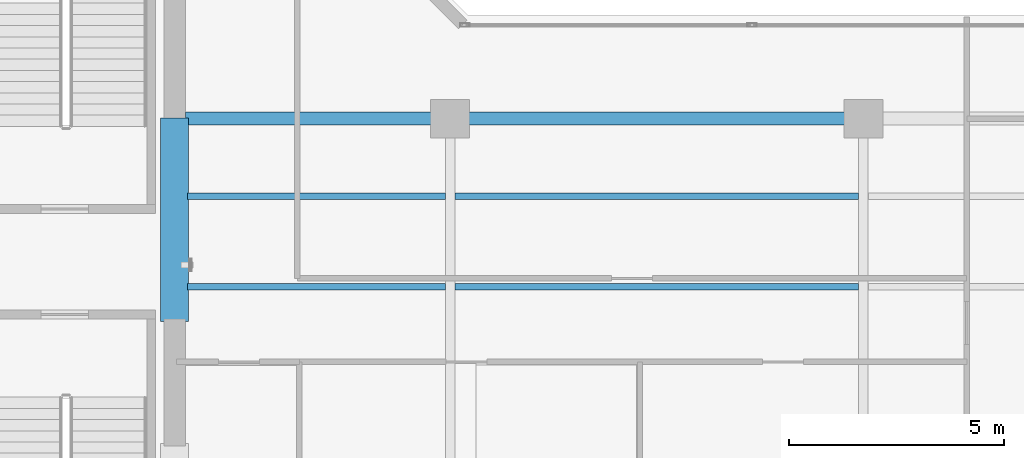
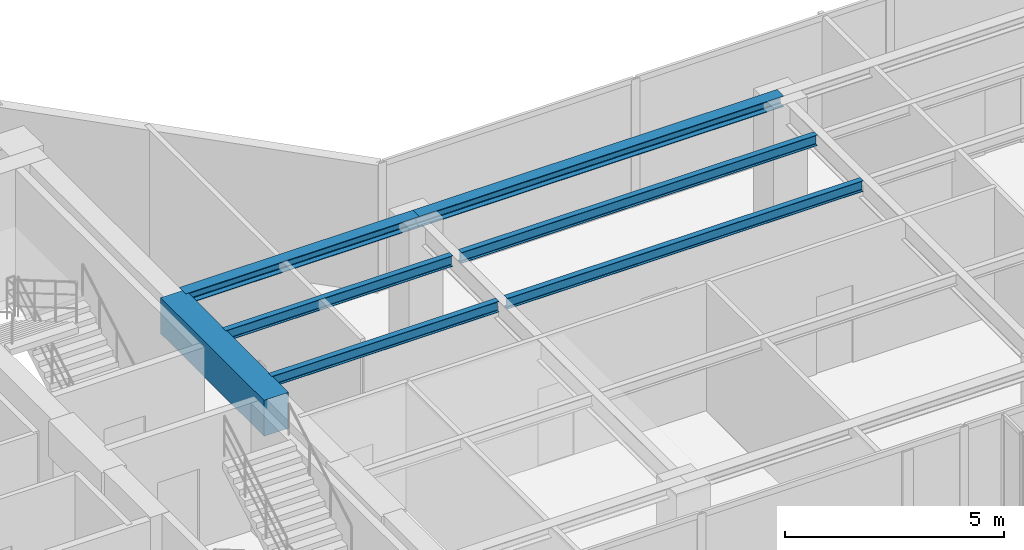
# One storey, part 6 of 24: 7 beams.
"""IFC4 building model written with IfcOpenShell, lengths in metres."""

import ifcopenshell
import ifcopenshell.guid

model = None  # the IFC model being written
_history = None  # IfcOwnerHistory: only IFC2X3 demands one
_inside = {}  # id of a spatial element -> (the spatial element, [elements in it])
_under = {}  # id of a project, library or spatial element -> (it, [spatial elements below it])
_declared = {}  # id of a project -> (the project, [libraries it declares])
_typed = {}  # id of a type object -> (the type object, [elements of that type])
_made_of = {}  # id of a material, layer set ... -> (it, [elements and type objects made of it])


def new_model(schema):
    """Start an empty IFC model of exactly this schema.

    Asked for "IFC4X3", IfcOpenShell would pick the latest addendum, in which some entities
    have other attributes; the version numbers below select the first issue.
    IFC2X3 requires an IfcOwnerHistory on every rooted entity: one is made here for all.
    """
    global model, _history
    if schema == "IFC4X3":
        model = ifcopenshell.file(schema_version=(4, 3, 0, 0))
    else:
        model = ifcopenshell.file(schema=schema)
    _inside.clear()
    _under.clear()
    _declared.clear()
    _typed.clear()
    _made_of.clear()
    _history = None
    if model.schema == "IFC2X3":
        org = make("IfcOrganization", Name="unknown")
        user = make(
            "IfcPersonAndOrganization",
            ThePerson=make("IfcPerson", FamilyName="unknown"),
            TheOrganization=org,
        )
        app = make(
            "IfcApplication",
            ApplicationDeveloper=org,
            Version="unknown",
            ApplicationFullName="unknown",
            ApplicationIdentifier="unknown",
        )
        _history = make(
            "IfcOwnerHistory",
            OwningUser=user,
            OwningApplication=app,
            ChangeAction="ADDED",
            CreationDate=0,
        )
    return model


def make(cls, **values):
    """One entity of the class cls with the attributes given. An attribute that is None is left unset."""
    return model.create_entity(
        cls, **{name: value for name, value in values.items() if value is not None}
    )


def rooted(cls, **values):
    """An entity with a GlobalId (a new one), such as an element, a storey or a relation."""
    return make(cls, GlobalId=ifcopenshell.guid.new(), OwnerHistory=_history, **values)


def si_unit(unit_type, name, prefix=None):
    """IfcSIUnit, for example si_unit("LENGTHUNIT", "METRE", prefix="MILLI")."""
    return make("IfcSIUnit", UnitType=unit_type, Prefix=prefix, Name=name)


def assignment(units):
    """IfcUnitAssignment: the units of a project."""
    return None if units is None else make("IfcUnitAssignment", Units=units)


def point(xyz):
    """IfcCartesianPoint."""
    return None if xyz is None else make("IfcCartesianPoint", Coordinates=xyz)


def direction(xyz):
    """IfcDirection."""
    return None if xyz is None else make("IfcDirection", DirectionRatios=xyz)


def frame(location, z_axis=None, x_axis=None):
    """IfcAxis2Placement3D, a coordinate frame: its origin and axes. An axis left out is left unset."""
    return make(
        "IfcAxis2Placement3D",
        Location=point(location),
        Axis=direction(z_axis),
        RefDirection=direction(x_axis),
    )


def frame_2d(location, x_axis=None):
    """IfcAxis2Placement2D, a coordinate frame in the plane: its origin and x axis."""
    return make(
        "IfcAxis2Placement2D", Location=point(location), RefDirection=direction(x_axis)
    )


def origin():
    """The frame at (0, 0, 0) with its axes left unset."""
    return frame((0.0, 0.0, 0.0))


def origin_2d():
    """The frame at (0, 0) in the plane with its x axis left unset."""
    return frame_2d((0.0, 0.0))


def place(relative_to, where):
    """IfcLocalPlacement: puts the frame where relative to a parent placement (None: the world)."""
    return make(
        "IfcLocalPlacement", PlacementRelTo=relative_to, RelativePlacement=where
    )


def context(
    kind, dimensions, precision=None, world=None, true_north=None, identifier=None
):
    """IfcGeometricRepresentationContext, for example the 3D "Model" context."""
    return make(
        "IfcGeometricRepresentationContext",
        ContextIdentifier=identifier,
        ContextType=kind,
        CoordinateSpaceDimension=dimensions,
        Precision=precision,
        WorldCoordinateSystem=world,
        TrueNorth=true_north,
    )


def subcontext(parent, identifier, kind, view, scale=None):
    """IfcGeometricRepresentationSubContext, for example "Body" below "Model"."""
    return make(
        "IfcGeometricRepresentationSubContext",
        ContextIdentifier=identifier,
        ContextType=kind,
        ParentContext=parent,
        TargetScale=scale,
        TargetView=view,
    )


def project(units=None, contexts=None):
    """IfcProject with its units and contexts."""
    return rooted(
        "IfcProject",
        Name="project",
        RepresentationContexts=contexts,
        UnitsInContext=assignment(units),
    )


def spatial(cls, under=None, at=None, **own):
    """A site, building, storey or space (cls), placed at a placement, below another one or the project."""
    s = rooted(cls, ObjectPlacement=at, **own)
    if under is not None:
        _under.setdefault(under.id(), (under, []))[1].append(s)
    return s


def profile(cls, at=None, kind="AREA", **sizes):
    """A parametric profile (cls). Its sizes go by their IFC names, for example OverallWidth=200.0."""
    return make(cls, ProfileType=kind, Position=at, **sizes)


def rectangle(**sizes):
    """IfcRectangleProfileDef."""
    return profile("IfcRectangleProfileDef", **sizes)


def i_section(**sizes):
    """IfcIShapeProfileDef."""
    return profile("IfcIShapeProfileDef", **sizes)


def extrude(swept, where, along, depth):
    """IfcExtrudedAreaSolid: the profile swept, set in the frame where, extruded along a direction by depth."""
    return make(
        "IfcExtrudedAreaSolid",
        SweptArea=swept,
        Position=where,
        ExtrudedDirection=direction(along),
        Depth=depth,
    )


def shape(context_of_items, identifier, shape_type, items):
    """IfcShapeRepresentation: the items that make up one representation, for example the "Body"."""
    return make(
        "IfcShapeRepresentation",
        ContextOfItems=context_of_items,
        RepresentationIdentifier=identifier,
        RepresentationType=shape_type,
        Items=items,
    )


def material(Name=None, Category=None):
    """IfcMaterial."""
    return make("IfcMaterial", Name=Name, Category=Category)


def material_profile(
    of_material, cross_section, Name=None, Category=None, Priority=None
):
    """IfcMaterialProfile: a cross section and its material."""
    return make(
        "IfcMaterialProfile",
        Name=Name,
        Material=of_material,
        Profile=cross_section,
        Priority=Priority,
        Category=Category,
    )


def profile_set(profiles, Name=None, composite=None):
    """IfcMaterialProfileSet."""
    return make(
        "IfcMaterialProfileSet",
        Name=Name,
        MaterialProfiles=profiles,
        CompositeProfile=composite,
    )


def made_of(thing, what):
    """Note that an element or type object is made of a material, layer set ...; save() writes the relation."""
    if what is not None:
        _made_of.setdefault(what.id(), (what, []))[1].append(thing)
    return thing


def type_object(cls, material=None, **own):
    """A type object (cls), such as IfcWallType, which elements share."""
    return made_of(rooted(cls, **own), material)


def element(
    cls,
    number,
    at=None,
    inside=None,
    cuts=None,
    type_object=None,
    material=None,
    context=None,
    identifier="Body",
    shape_type=None,
    held_by="IfcProductDefinitionShape",
    body=None,
    shapes=None,
    **own,
):
    """One element of the class cls, such as IfcWall. Its Tag is "e" and its number.

    at: its placement. inside: the storey or other place that contains it. cuts: it is an
    opening in that element (IfcRelVoidsElement). A single representation is given by context,
    identifier, shape_type and body (its items); several are given by shapes. held_by: the class
    of the entity that holds the representations. save() writes the other relations.
    """
    e = rooted(cls, Tag="e%d" % number, ObjectPlacement=at, **own)
    if body is not None:
        shapes = [shape(context, identifier, shape_type, body)]
    if shapes is not None:
        e.Representation = make(held_by, Representations=shapes)
    if inside is not None:
        _inside.setdefault(inside.id(), (inside, []))[1].append(e)
    if cuts is not None:
        rooted(
            "IfcRelVoidsElement", RelatingBuildingElement=cuts, RelatedOpeningElement=e
        )
    if type_object is not None:
        _typed.setdefault(type_object.id(), (type_object, []))[1].append(e)
    return made_of(e, material)


def aggregate(whole, parts):
    """IfcRelAggregates: a whole, such as a stair, and the parts it consists of."""
    return rooted("IfcRelAggregates", RelatingObject=whole, RelatedObjects=parts)


def save(model, path):
    """Write the relations noted so far, then the file.

    IfcRelAggregates (storeys below a building ...), IfcRelContainedInSpatialStructure (elements
    in a storey), IfcRelDefinesByType, IfcRelAssociatesMaterial and IfcRelDeclares: one each for
    every whole, place, type object, material and project.
    """
    for whole, parts in _under.values():
        aggregate(whole, parts)
    for where, things in _inside.values():
        rooted(
            "IfcRelContainedInSpatialStructure",
            RelatedElements=things,
            RelatingStructure=where,
        )
    for kind, things in _typed.values():
        rooted("IfcRelDefinesByType", RelatedObjects=things, RelatingType=kind)
    for what, things in _made_of.values():
        rooted("IfcRelAssociatesMaterial", RelatedObjects=things, RelatingMaterial=what)
    for by, libraries in _declared.values():
        rooted("IfcRelDeclares", RelatingContext=by, RelatedDefinitions=libraries)
    model.write(path)


model = new_model("IFC4")

# Units and contexts
model_context = context("Model", 3, precision=1e-05, world=origin(), true_north=direction((0.0, 1.0)))
body_context = subcontext(model_context, "Body", "Model", "MODEL_VIEW")
ifc_project = project(units=[si_unit("LENGTHUNIT", "METRE"), si_unit("AREAUNIT", "SQUARE_METRE"), si_unit("VOLUMEUNIT", "CUBIC_METRE"), si_unit("PLANEANGLEUNIT", "RADIAN"), si_unit("MASSUNIT", "GRAM", prefix="KILO")], contexts=[model_context])

# Site, building, storey
site_placement = place(None, origin())
site = spatial("IfcSite", under=ifc_project, at=site_placement, CompositionType="ELEMENT")
building_placement = place(site_placement, origin())
building = spatial("IfcBuilding", under=site, at=building_placement, Name="Kolvaren Waterfront Exchange", CompositionType="ELEMENT")
storey_placement = place(building_placement, frame((0.0, 0.0, 331.199951171875)))
storey = spatial("IfcBuildingStorey", under=building, at=storey_placement, Name="L85", CompositionType="ELEMENT", Elevation=331.199951171875)

# Beams
ifc_material_1 = material(Name="Steel S355", Category="steel")
ifc_material_profile_1 = material_profile(ifc_material_1, i_section(OverallWidth=0.300048828125, OverallDepth=0.300048828125, WebThickness=0.010986328125, FlangeThickness=0.01904296875, FilletRadius=0.027099609375, at=origin_2d()), Name="HEB300")
ifc_profile_set_1 = profile_set([ifc_material_profile_1], Name="Steel S355")
beam_type_1 = type_object("IfcBeamType", Name="STR-BM-HEB300", PredefinedType="SPANDREL", material=ifc_profile_set_1)
beam_1_placement = place(storey_placement, frame((21.050048828125, 17.39990234375, 3.41015625), z_axis=(1.0, 0.0, 0.0), x_axis=(0.0, 1.0, 0.0)))
element("IfcBeam", 1, at=beam_1_placement, inside=storey, type_object=beam_type_1, Name="L85 east-arm spandrel N1", PredefinedType="SPANDREL", context=body_context, shape_type="SweptSolid", body=[
    extrude(i_section(OverallWidth=0.300048828125, OverallDepth=0.300048828125, WebThickness=0.010986328125, FlangeThickness=0.01904296875, FilletRadius=0.027099609375, at=origin_2d()), origin(), (0.0, 0.0, 1.0), 6.14990234375),
])
beam_2_placement = place(storey_placement, frame((27.199951171875, 17.39990234375, 3.41015625), z_axis=(1.0, 0.0, 0.0), x_axis=(0.0, 1.0, 0.0)))
element("IfcBeam", 2, at=beam_2_placement, inside=storey, type_object=beam_type_1, Name="L85 east-arm spandrel N2", PredefinedType="SPANDREL", context=body_context, shape_type="SweptSolid", body=[
    extrude(i_section(OverallWidth=0.300048828125, OverallDepth=0.300048828125, WebThickness=0.010986328125, FlangeThickness=0.01904296875, FilletRadius=0.027099609375, at=origin_2d()), origin(), (0.0, 0.0, 1.0), 9.60009765625),
])
ifc_material_profile_2 = material_profile(ifc_material_1, i_section(OverallWidth=0.14990234375, OverallDepth=0.300048828125, WebThickness=0.007080078125, FlangeThickness=0.0107421875, FilletRadius=0.014892578125, at=origin_2d()), Name="IPE300")
ifc_profile_set_2 = profile_set([ifc_material_profile_2], Name="Steel S355")
beam_type_2 = type_object("IfcBeamType", Name="STR-BM-IPE300", PredefinedType="JOIST", material=ifc_profile_set_2)
for number, where, z_axis, x_axis, name in (
    (3, (21.10009765625, 13.5, 3.41015625), (1.0, 0.0, 0.0), (0.0, 1.0, 0.0), "L85 east-arm composite joist 1A"),
    (4, (21.10009765625, 15.60009765625, 3.41015625), (1.0, 0.0, 0.0), (0.0, 1.0, 0.0), "L85 east-arm composite joist 1C"),
):
    element("IfcBeam", number, at=place(storey_placement, frame(where, z_axis=z_axis, x_axis=x_axis)), inside=storey, type_object=beam_type_2, Name=name, PredefinedType="JOIST", context=body_context, shape_type="SweptSolid", body=[
        extrude(i_section(OverallWidth=0.14990234375, OverallDepth=0.300048828125, WebThickness=0.007080078125, FlangeThickness=0.0107421875, FilletRadius=0.014892578125, at=origin_2d()), origin(), (0.0, 0.0, 1.0), 5.98779296875),
    ])
for number, where, z_axis, x_axis, name in (
    (5, (27.31201171875, 13.5, 3.41015625), (1.0, 0.0, 0.0), (0.0, 1.0, 0.0), "L85 east-arm composite joist 2A"),
    (6, (27.31201171875, 15.60009765625, 3.41015625), (1.0, 0.0, 0.0), (0.0, 1.0, 0.0), "L85 east-arm composite joist 2C"),
):
    element("IfcBeam", number, at=place(storey_placement, frame(where, z_axis=z_axis, x_axis=x_axis)), inside=storey, type_object=beam_type_2, Name=name, PredefinedType="JOIST", context=body_context, shape_type="SweptSolid", body=[
        extrude(i_section(OverallWidth=0.14990234375, OverallDepth=0.300048828125, WebThickness=0.007080078125, FlangeThickness=0.0107421875, FilletRadius=0.014892578125, at=origin_2d()), origin(), (0.0, 0.0, 1.0), 9.3759765625),
    ])
ifc_material_2 = material(Name="Concrete C60/75", Category="concrete")
ifc_material_profile_3 = material_profile(ifc_material_2, rectangle(XDim=0.64990234375, YDim=1.0, at=origin_2d()), Name="RC-CB-1000x650")
ifc_profile_set_3 = profile_set([ifc_material_profile_3], Name="Concrete C60/75")
beam_type_3 = type_object("IfcBeamType", Name="STR-CB-1000", PredefinedType="SPANDREL", material=ifc_profile_set_3)
beam_3_placement = place(storey_placement, frame((20.800048828125, 12.68994140625, 3.06005859375), z_axis=(0.0, 1.0, 0.0), x_axis=(-1.0, 0.0, 0.0)))
element("IfcBeam", 7, at=beam_3_placement, inside=storey, type_object=beam_type_3, Name="L85 core coupling beam 2", PredefinedType="SPANDREL", context=body_context, shape_type="SweptSolid", body=[
    extrude(rectangle(XDim=0.64990234375, YDim=1.0, at=origin_2d()), origin(), (0.0, 0.0, 1.0), 4.719970703125),
])

save(model, "model.ifc")
